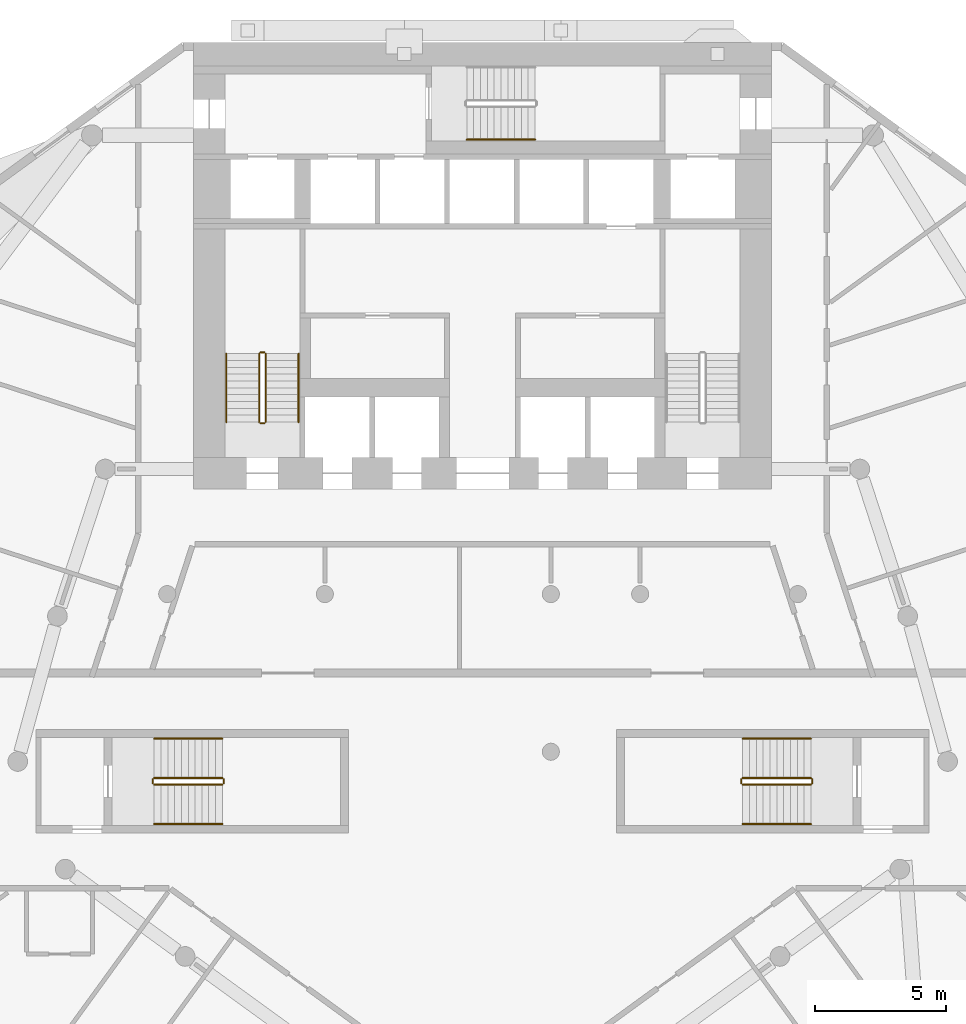
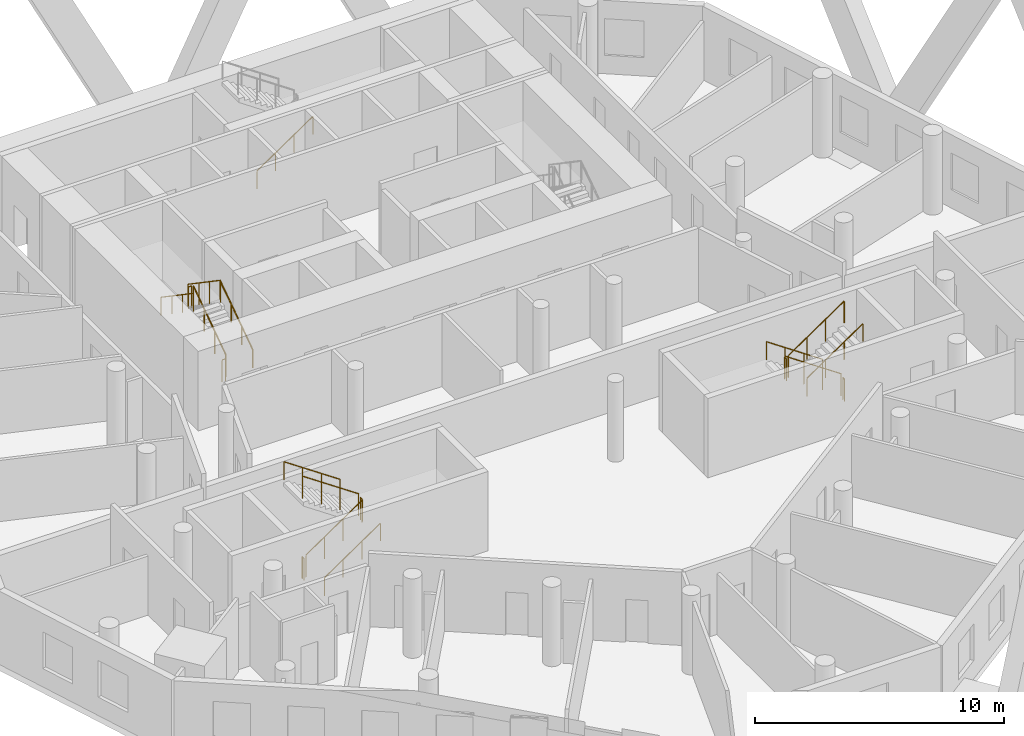
# One storey, part 9 of 10: 19 railings.
"""IFC4 building model written with IfcOpenShell, lengths in metres."""

import ifcopenshell
import ifcopenshell.guid

model = None  # the IFC model being written
_history = None  # IfcOwnerHistory: only IFC2X3 demands one
_inside = {}  # id of a spatial element -> (the spatial element, [elements in it])
_under = {}  # id of a project, library or spatial element -> (it, [spatial elements below it])
_declared = {}  # id of a project -> (the project, [libraries it declares])
_typed = {}  # id of a type object -> (the type object, [elements of that type])
_made_of = {}  # id of a material, layer set ... -> (it, [elements and type objects made of it])


def new_model(schema):
    """Start an empty IFC model of exactly this schema.

    Asked for "IFC4X3", IfcOpenShell would pick the latest addendum, in which some entities
    have other attributes; the version numbers below select the first issue.
    IFC2X3 requires an IfcOwnerHistory on every rooted entity: one is made here for all.
    """
    global model, _history
    if schema == "IFC4X3":
        model = ifcopenshell.file(schema_version=(4, 3, 0, 0))
    else:
        model = ifcopenshell.file(schema=schema)
    _inside.clear()
    _under.clear()
    _declared.clear()
    _typed.clear()
    _made_of.clear()
    _history = None
    if model.schema == "IFC2X3":
        org = make("IfcOrganization", Name="unknown")
        user = make(
            "IfcPersonAndOrganization",
            ThePerson=make("IfcPerson", FamilyName="unknown"),
            TheOrganization=org,
        )
        app = make(
            "IfcApplication",
            ApplicationDeveloper=org,
            Version="unknown",
            ApplicationFullName="unknown",
            ApplicationIdentifier="unknown",
        )
        _history = make(
            "IfcOwnerHistory",
            OwningUser=user,
            OwningApplication=app,
            ChangeAction="ADDED",
            CreationDate=0,
        )
    return model


def make(cls, **values):
    """One entity of the class cls with the attributes given. An attribute that is None is left unset."""
    return model.create_entity(
        cls, **{name: value for name, value in values.items() if value is not None}
    )


def rooted(cls, **values):
    """An entity with a GlobalId (a new one), such as an element, a storey or a relation."""
    return make(cls, GlobalId=ifcopenshell.guid.new(), OwnerHistory=_history, **values)


def si_unit(unit_type, name, prefix=None):
    """IfcSIUnit, for example si_unit("LENGTHUNIT", "METRE", prefix="MILLI")."""
    return make("IfcSIUnit", UnitType=unit_type, Prefix=prefix, Name=name)


def assignment(units):
    """IfcUnitAssignment: the units of a project."""
    return None if units is None else make("IfcUnitAssignment", Units=units)


def point(xyz):
    """IfcCartesianPoint."""
    return None if xyz is None else make("IfcCartesianPoint", Coordinates=xyz)


def direction(xyz):
    """IfcDirection."""
    return None if xyz is None else make("IfcDirection", DirectionRatios=xyz)


def frame(location, z_axis=None, x_axis=None):
    """IfcAxis2Placement3D, a coordinate frame: its origin and axes. An axis left out is left unset."""
    return make(
        "IfcAxis2Placement3D",
        Location=point(location),
        Axis=direction(z_axis),
        RefDirection=direction(x_axis),
    )


def frame_2d(location, x_axis=None):
    """IfcAxis2Placement2D, a coordinate frame in the plane: its origin and x axis."""
    return make(
        "IfcAxis2Placement2D", Location=point(location), RefDirection=direction(x_axis)
    )


def origin():
    """The frame at (0, 0, 0) with its axes left unset."""
    return frame((0.0, 0.0, 0.0))


def origin_2d():
    """The frame at (0, 0) in the plane with its x axis left unset."""
    return frame_2d((0.0, 0.0))


def place(relative_to, where):
    """IfcLocalPlacement: puts the frame where relative to a parent placement (None: the world)."""
    return make(
        "IfcLocalPlacement", PlacementRelTo=relative_to, RelativePlacement=where
    )


def context(
    kind, dimensions, precision=None, world=None, true_north=None, identifier=None
):
    """IfcGeometricRepresentationContext, for example the 3D "Model" context."""
    return make(
        "IfcGeometricRepresentationContext",
        ContextIdentifier=identifier,
        ContextType=kind,
        CoordinateSpaceDimension=dimensions,
        Precision=precision,
        WorldCoordinateSystem=world,
        TrueNorth=true_north,
    )


def subcontext(parent, identifier, kind, view, scale=None):
    """IfcGeometricRepresentationSubContext, for example "Body" below "Model"."""
    return make(
        "IfcGeometricRepresentationSubContext",
        ContextIdentifier=identifier,
        ContextType=kind,
        ParentContext=parent,
        TargetScale=scale,
        TargetView=view,
    )


def project(units=None, contexts=None):
    """IfcProject with its units and contexts."""
    return rooted(
        "IfcProject",
        Name="project",
        RepresentationContexts=contexts,
        UnitsInContext=assignment(units),
    )


def spatial(cls, under=None, at=None, **own):
    """A site, building, storey or space (cls), placed at a placement, below another one or the project."""
    s = rooted(cls, ObjectPlacement=at, **own)
    if under is not None:
        _under.setdefault(under.id(), (under, []))[1].append(s)
    return s


def profile(cls, at=None, kind="AREA", **sizes):
    """A parametric profile (cls). Its sizes go by their IFC names, for example OverallWidth=200.0."""
    return make(cls, ProfileType=kind, Position=at, **sizes)


def circle(**sizes):
    """IfcCircleProfileDef."""
    return profile("IfcCircleProfileDef", **sizes)


def extrude(swept, where, along, depth):
    """IfcExtrudedAreaSolid: the profile swept, set in the frame where, extruded along a direction by depth."""
    return make(
        "IfcExtrudedAreaSolid",
        SweptArea=swept,
        Position=where,
        ExtrudedDirection=direction(along),
        Depth=depth,
    )


def shape(context_of_items, identifier, shape_type, items):
    """IfcShapeRepresentation: the items that make up one representation, for example the "Body"."""
    return make(
        "IfcShapeRepresentation",
        ContextOfItems=context_of_items,
        RepresentationIdentifier=identifier,
        RepresentationType=shape_type,
        Items=items,
    )


def material(Name=None, Category=None):
    """IfcMaterial."""
    return make("IfcMaterial", Name=Name, Category=Category)


def made_of(thing, what):
    """Note that an element or type object is made of a material, layer set ...; save() writes the relation."""
    if what is not None:
        _made_of.setdefault(what.id(), (what, []))[1].append(thing)
    return thing


def type_object(cls, material=None, **own):
    """A type object (cls), such as IfcWallType, which elements share."""
    return made_of(rooted(cls, **own), material)


def element(
    cls,
    number,
    at=None,
    inside=None,
    cuts=None,
    type_object=None,
    material=None,
    context=None,
    identifier="Body",
    shape_type=None,
    held_by="IfcProductDefinitionShape",
    body=None,
    shapes=None,
    **own,
):
    """One element of the class cls, such as IfcWall. Its Tag is "e" and its number.

    at: its placement. inside: the storey or other place that contains it. cuts: it is an
    opening in that element (IfcRelVoidsElement). A single representation is given by context,
    identifier, shape_type and body (its items); several are given by shapes. held_by: the class
    of the entity that holds the representations. save() writes the other relations.
    """
    e = rooted(cls, Tag="e%d" % number, ObjectPlacement=at, **own)
    if body is not None:
        shapes = [shape(context, identifier, shape_type, body)]
    if shapes is not None:
        e.Representation = make(held_by, Representations=shapes)
    if inside is not None:
        _inside.setdefault(inside.id(), (inside, []))[1].append(e)
    if cuts is not None:
        rooted(
            "IfcRelVoidsElement", RelatingBuildingElement=cuts, RelatedOpeningElement=e
        )
    if type_object is not None:
        _typed.setdefault(type_object.id(), (type_object, []))[1].append(e)
    return made_of(e, material)


def aggregate(whole, parts):
    """IfcRelAggregates: a whole, such as a stair, and the parts it consists of."""
    return rooted("IfcRelAggregates", RelatingObject=whole, RelatedObjects=parts)


def save(model, path):
    """Write the relations noted so far, then the file.

    IfcRelAggregates (storeys below a building ...), IfcRelContainedInSpatialStructure (elements
    in a storey), IfcRelDefinesByType, IfcRelAssociatesMaterial and IfcRelDeclares: one each for
    every whole, place, type object, material and project.
    """
    for whole, parts in _under.values():
        aggregate(whole, parts)
    for where, things in _inside.values():
        rooted(
            "IfcRelContainedInSpatialStructure",
            RelatedElements=things,
            RelatingStructure=where,
        )
    for kind, things in _typed.values():
        rooted("IfcRelDefinesByType", RelatedObjects=things, RelatingType=kind)
    for what, things in _made_of.values():
        rooted("IfcRelAssociatesMaterial", RelatedObjects=things, RelatingMaterial=what)
    for by, libraries in _declared.values():
        rooted("IfcRelDeclares", RelatingContext=by, RelatedDefinitions=libraries)
    model.write(path)


model = new_model("IFC4")

# Units and contexts
model_context = context("Model", 3, precision=1e-05, world=origin(), true_north=direction((0.0, 1.0)))
body_context = subcontext(model_context, "Body", "Model", "MODEL_VIEW")
ifc_project = project(units=[si_unit("LENGTHUNIT", "METRE"), si_unit("AREAUNIT", "SQUARE_METRE"), si_unit("VOLUMEUNIT", "CUBIC_METRE"), si_unit("PLANEANGLEUNIT", "RADIAN"), si_unit("MASSUNIT", "GRAM", prefix="KILO")], contexts=[model_context])

# Site, building, storey
site_placement = place(None, origin())
site = spatial("IfcSite", under=ifc_project, at=site_placement, CompositionType="ELEMENT")
building_placement = place(site_placement, origin())
building = spatial("IfcBuilding", under=site, at=building_placement, Name="White Candle Pilgrim Tower", CompositionType="ELEMENT")
storey_placement = place(building_placement, frame((0.0, 0.0, 66.300048828125)))
storey = spatial("IfcBuildingStorey", under=building, at=storey_placement, Name="L13", CompositionType="ELEMENT", Elevation=66.300048828125)

# Railings
ifc_material = material(Name="Stainless steel", Category="steel")
railing_type_1 = type_object("IfcRailingType", Name="Stair guard stainless steel 1100 mm", PredefinedType="GUARDRAIL", material=ifc_material)
railing_1_placement = place(storey_placement, frame((61.75, 73.550048828125, 0.17724609375)))
element("IfcRailing", 1, at=railing_1_placement, inside=storey, type_object=railing_type_1, Name="L13 ST1 stair guard 1", PredefinedType="GUARDRAIL", context=body_context, shape_type="SweptSolid", body=[
    extrude(circle(Radius=0.02392578125, at=origin_2d()), frame((0.0, 0.0, 1.076171875), z_axis=(0.0, 0.826215852431, 0.563353676824), x_axis=(-1.0, 0.0, 0.0)), (0.0, 0.0, 1.0), 3.146728515625),
    extrude(circle(Radius=0.02099609375, at=origin_2d()), origin(), (0.0, 0.0, 1.0), 1.052001953125),
    extrude(circle(Radius=0.02099609375, at=origin_2d()), frame((0.0, 0.86669921875, 0.5908203125)), (0.0, 0.0, 1.0), 1.052001953125),
    extrude(circle(Radius=0.02099609375, at=origin_2d()), frame((0.0, 1.733154296875, 1.181884765625)), (0.0, 0.0, 1.0), 1.052001953125),
    extrude(circle(Radius=0.02099609375, at=origin_2d()), frame((0.0, 2.599853515625, 1.772705078125)), (0.0, 0.0, 1.0), 1.052001953125),
])
railing_2_placement = place(storey_placement, frame((61.699951171875, 76.199951171875, 1.949951171875)))
element("IfcRailing", 2, at=railing_2_placement, inside=storey, type_object=railing_type_1, Name="L13 ST1 stair guard 2", PredefinedType="GUARDRAIL", context=body_context, shape_type="SweptSolid", body=[
    extrude(circle(Radius=0.02392578125, at=origin_2d()), frame((0.0, 0.0, 1.076171875), z_axis=(-1.0, 0.0, 0.0), x_axis=(0.0, -1.0, 0.0)), (0.0, 0.0, 1.0), 0.14990234375),
    extrude(circle(Radius=0.02099609375, at=origin_2d()), origin(), (0.0, 0.0, 1.0), 1.052001953125),
    extrude(circle(Radius=0.02099609375, at=origin_2d()), frame((-0.14990234375, 0.0, 0.0)), (0.0, 0.0, 1.0), 1.052001953125),
])
railing_3_placement = place(storey_placement, frame((61.5, 76.14990234375, 2.127197265625)))
element("IfcRailing", 3, at=railing_3_placement, inside=storey, type_object=railing_type_1, Name="L13 ST1 stair guard 3", PredefinedType="GUARDRAIL", context=body_context, shape_type="SweptSolid", body=[
    extrude(circle(Radius=0.02392578125, at=origin_2d()), frame((0.0, 0.0, 1.076171875), z_axis=(0.0, -0.826215852431, 0.563353676824), x_axis=(1.0, 0.0, 0.0)), (0.0, 0.0, 1.0), 3.146728515625),
    extrude(circle(Radius=0.02099609375, at=origin_2d()), origin(), (0.0, 0.0, 1.0), 1.052001953125),
    extrude(circle(Radius=0.02099609375, at=origin_2d()), frame((0.0, -0.86669921875, 0.5908203125)), (0.0, 0.0, 1.0), 1.052001953125),
    extrude(circle(Radius=0.02099609375, at=origin_2d()), frame((0.0, -1.733154296875, 1.181884765625)), (0.0, 0.0, 1.0), 1.052001953125),
    extrude(circle(Radius=0.02099609375, at=origin_2d()), frame((0.0, -2.599853515625, 1.772705078125)), (0.0, 0.0, 1.0), 1.052001953125),
])
railing_4_placement = place(storey_placement, frame((61.699951171875, 73.5, 0.0)))
element("IfcRailing", 4, at=railing_4_placement, inside=storey, type_object=railing_type_1, Name="L13 ST1 stair guard 4", PredefinedType="GUARDRAIL", context=body_context, shape_type="SweptSolid", body=[
    extrude(circle(Radius=0.02392578125, at=origin_2d()), frame((0.0, 0.0, 1.076171875), z_axis=(-1.0, 0.0, 0.0), x_axis=(0.0, -1.0, 0.0)), (0.0, 0.0, 1.0), 0.14990234375),
    extrude(circle(Radius=0.02099609375, at=origin_2d()), origin(), (0.0, 0.0, 1.0), 1.052001953125),
    extrude(circle(Radius=0.02099609375, at=origin_2d()), frame((-0.14990234375, 0.0, 0.0)), (0.0, 0.0, 1.0), 1.052001953125),
])
railing_5_placement = place(storey_placement, frame((82.5, 60.0, 0.17724609375)))
element("IfcRailing", 5, at=railing_5_placement, inside=storey, type_object=railing_type_1, Name="L13 ST4 stair guard 1", PredefinedType="GUARDRAIL", context=body_context, shape_type="SweptSolid", body=[
    extrude(circle(Radius=0.02392578125, at=origin_2d()), frame((0.0, 0.0, 1.076171875), z_axis=(-0.826240473404, 0.0, 0.563317565952), x_axis=(0.0, -1.0, 0.0)), (0.0, 0.0, 1.0), 3.14697265625),
    extrude(circle(Radius=0.02099609375, at=origin_2d()), origin(), (0.0, 0.0, 1.0), 1.052001953125),
    extrude(circle(Radius=0.02099609375, at=origin_2d()), frame((-0.86669921875, 0.0, 0.5908203125)), (0.0, 0.0, 1.0), 1.052001953125),
    extrude(circle(Radius=0.02099609375, at=origin_2d()), frame((-1.7333984375, 0.0, 1.181884765625)), (0.0, 0.0, 1.0), 1.052001953125),
    extrude(circle(Radius=0.02099609375, at=origin_2d()), frame((-2.60009765625, 0.0, 1.772705078125)), (0.0, 0.0, 1.0), 1.052001953125),
])
railing_6_placement = place(storey_placement, frame((79.85009765625, 59.949951171875, 1.949951171875)))
element("IfcRailing", 6, at=railing_6_placement, inside=storey, type_object=railing_type_1, Name="L13 ST4 stair guard 2", PredefinedType="GUARDRAIL", context=body_context, shape_type="SweptSolid", body=[
    extrude(circle(Radius=0.02392578125, at=origin_2d()), frame((0.0, 0.0, 1.076171875), z_axis=(0.0, -1.0, 0.0), x_axis=(1.0, 0.0, 0.0)), (0.0, 0.0, 1.0), 0.14990234375),
    extrude(circle(Radius=0.02099609375, at=origin_2d()), origin(), (0.0, 0.0, 1.0), 1.052001953125),
    extrude(circle(Radius=0.02099609375, at=origin_2d()), frame((0.0, -0.14990234375, 0.0)), (0.0, 0.0, 1.0), 1.052001953125),
])
railing_7_placement = place(storey_placement, frame((79.89990234375, 59.75, 2.127197265625)))
element("IfcRailing", 7, at=railing_7_placement, inside=storey, type_object=railing_type_1, Name="L13 ST4 stair guard 3", PredefinedType="GUARDRAIL", context=body_context, shape_type="SweptSolid", body=[
    extrude(circle(Radius=0.02392578125, at=origin_2d()), frame((0.0, 0.0, 1.076171875), z_axis=(0.826240473404, 0.0, 0.563317565952), x_axis=(0.0, 1.0, 0.0)), (0.0, 0.0, 1.0), 3.14697265625),
    extrude(circle(Radius=0.02099609375, at=origin_2d()), origin(), (0.0, 0.0, 1.0), 1.052001953125),
    extrude(circle(Radius=0.02099609375, at=origin_2d()), frame((0.86669921875, 0.0, 0.5908203125)), (0.0, 0.0, 1.0), 1.052001953125),
    extrude(circle(Radius=0.02099609375, at=origin_2d()), frame((1.7333984375, 0.0, 1.181884765625)), (0.0, 0.0, 1.0), 1.052001953125),
    extrude(circle(Radius=0.02099609375, at=origin_2d()), frame((2.60009765625, 0.0, 1.772705078125)), (0.0, 0.0, 1.0), 1.052001953125),
])
railing_8_placement = place(storey_placement, frame((82.550048828125, 59.949951171875, 0.0)))
element("IfcRailing", 8, at=railing_8_placement, inside=storey, type_object=railing_type_1, Name="L13 ST4 stair guard 4", PredefinedType="GUARDRAIL", context=body_context, shape_type="SweptSolid", body=[
    extrude(circle(Radius=0.02392578125, at=origin_2d()), frame((0.0, 0.0, 1.076171875), z_axis=(0.0, -1.0, 0.0), x_axis=(1.0, 0.0, 0.0)), (0.0, 0.0, 1.0), 0.14990234375),
    extrude(circle(Radius=0.02099609375, at=origin_2d()), origin(), (0.0, 0.0, 1.0), 1.052001953125),
    extrude(circle(Radius=0.02099609375, at=origin_2d()), frame((0.0, -0.14990234375, 0.0)), (0.0, 0.0, 1.0), 1.052001953125),
])
railing_9_placement = place(storey_placement, frame((57.5, 59.75, 0.17724609375)))
element("IfcRailing", 9, at=railing_9_placement, inside=storey, type_object=railing_type_1, Name="L13 ST5 stair guard 1", PredefinedType="GUARDRAIL", context=body_context, shape_type="SweptSolid", body=[
    extrude(circle(Radius=0.02392578125, at=origin_2d()), frame((0.0, 0.0, 1.076171875), z_axis=(0.826240473404, 0.0, 0.563317565952), x_axis=(0.0, 1.0, 0.0)), (0.0, 0.0, 1.0), 3.14697265625),
    extrude(circle(Radius=0.02099609375, at=origin_2d()), origin(), (0.0, 0.0, 1.0), 1.052001953125),
    extrude(circle(Radius=0.02099609375, at=origin_2d()), frame((0.86669921875, 0.0, 0.5908203125)), (0.0, 0.0, 1.0), 1.052001953125),
    extrude(circle(Radius=0.02099609375, at=origin_2d()), frame((1.7333984375, 0.0, 1.181884765625)), (0.0, 0.0, 1.0), 1.052001953125),
    extrude(circle(Radius=0.02099609375, at=origin_2d()), frame((2.60009765625, 0.0, 1.772705078125)), (0.0, 0.0, 1.0), 1.052001953125),
])
railing_10_placement = place(storey_placement, frame((60.14990234375, 59.800048828125, 1.949951171875)))
element("IfcRailing", 10, at=railing_10_placement, inside=storey, type_object=railing_type_1, Name="L13 ST5 stair guard 2", PredefinedType="GUARDRAIL", context=body_context, shape_type="SweptSolid", body=[
    extrude(circle(Radius=0.02392578125, at=origin_2d()), frame((0.0, 0.0, 1.076171875), z_axis=(0.0, 1.0, 0.0), x_axis=(-1.0, 0.0, 0.0)), (0.0, 0.0, 1.0), 0.14990234375),
    extrude(circle(Radius=0.02099609375, at=origin_2d()), origin(), (0.0, 0.0, 1.0), 1.052001953125),
    extrude(circle(Radius=0.02099609375, at=origin_2d()), frame((0.0, 0.14990234375, 0.0)), (0.0, 0.0, 1.0), 1.052001953125),
])
railing_11_placement = place(storey_placement, frame((60.10009765625, 60.0, 2.127197265625)))
element("IfcRailing", 11, at=railing_11_placement, inside=storey, type_object=railing_type_1, Name="L13 ST5 stair guard 3", PredefinedType="GUARDRAIL", context=body_context, shape_type="SweptSolid", body=[
    extrude(circle(Radius=0.02392578125, at=origin_2d()), frame((0.0, 0.0, 1.076171875), z_axis=(-0.826240473404, 0.0, 0.563317565952), x_axis=(0.0, -1.0, 0.0)), (0.0, 0.0, 1.0), 3.14697265625),
    extrude(circle(Radius=0.02099609375, at=origin_2d()), origin(), (0.0, 0.0, 1.0), 1.052001953125),
    extrude(circle(Radius=0.02099609375, at=origin_2d()), frame((-0.86669921875, 0.0, 0.5908203125)), (0.0, 0.0, 1.0), 1.052001953125),
    extrude(circle(Radius=0.02099609375, at=origin_2d()), frame((-1.7333984375, 0.0, 1.181884765625)), (0.0, 0.0, 1.0), 1.052001953125),
    extrude(circle(Radius=0.02099609375, at=origin_2d()), frame((-2.60009765625, 0.0, 1.772705078125)), (0.0, 0.0, 1.0), 1.052001953125),
])
railing_12_placement = place(storey_placement, frame((57.449951171875, 59.800048828125, 0.0)))
element("IfcRailing", 12, at=railing_12_placement, inside=storey, type_object=railing_type_1, Name="L13 ST5 stair guard 4", PredefinedType="GUARDRAIL", context=body_context, shape_type="SweptSolid", body=[
    extrude(circle(Radius=0.02392578125, at=origin_2d()), frame((0.0, 0.0, 1.076171875), z_axis=(0.0, 1.0, 0.0), x_axis=(-1.0, 0.0, 0.0)), (0.0, 0.0, 1.0), 0.14990234375),
    extrude(circle(Radius=0.02099609375, at=origin_2d()), origin(), (0.0, 0.0, 1.0), 1.052001953125),
    extrude(circle(Radius=0.02099609375, at=origin_2d()), frame((0.0, 0.14990234375, 0.0)), (0.0, 0.0, 1.0), 1.052001953125),
])
railing_type_2 = type_object("IfcRailingType", Name="Stair handrail stainless steel", PredefinedType="HANDRAIL", material=ifc_material)
railing_13_placement = place(storey_placement, frame((63.0, 73.550048828125, 0.17724609375)))
element("IfcRailing", 13, at=railing_13_placement, inside=storey, type_object=railing_type_2, Name="L13 ST1 stair handrail 1", PredefinedType="HANDRAIL", context=body_context, shape_type="SweptSolid", body=[
    extrude(circle(Radius=0.02392578125, at=origin_2d()), frame((0.0, 0.0, 0.8759765625), z_axis=(0.0, 0.826215852431, 0.563353676824), x_axis=(-1.0, 0.0, 0.0)), (0.0, 0.0, 1.0), 3.146728515625),
    extrude(circle(Radius=0.02099609375, at=origin_2d()), origin(), (0.0, 0.0, 1.0), 0.851806640625),
    extrude(circle(Radius=0.02099609375, at=origin_2d()), frame((0.0, 0.86669921875, 0.5908203125)), (0.0, 0.0, 1.0), 0.851806640625),
    extrude(circle(Radius=0.02099609375, at=origin_2d()), frame((0.0, 1.733154296875, 1.181884765625)), (0.0, 0.0, 1.0), 0.851806640625),
    extrude(circle(Radius=0.02099609375, at=origin_2d()), frame((0.0, 2.599853515625, 1.772705078125)), (0.0, 0.0, 1.0), 0.851806640625),
])
railing_14_placement = place(storey_placement, frame((60.25, 76.14990234375, 2.127197265625)))
element("IfcRailing", 14, at=railing_14_placement, inside=storey, type_object=railing_type_2, Name="L13 ST1 stair handrail 2", PredefinedType="HANDRAIL", context=body_context, shape_type="SweptSolid", body=[
    extrude(circle(Radius=0.02392578125, at=origin_2d()), frame((0.0, 0.0, 0.8759765625), z_axis=(0.0, -0.826215852431, 0.563353676824), x_axis=(1.0, 0.0, 0.0)), (0.0, 0.0, 1.0), 3.146728515625),
    extrude(circle(Radius=0.02099609375, at=origin_2d()), origin(), (0.0, 0.0, 1.0), 0.851806640625),
    extrude(circle(Radius=0.02099609375, at=origin_2d()), frame((0.0, -0.86669921875, 0.5908203125)), (0.0, 0.0, 1.0), 0.851806640625),
    extrude(circle(Radius=0.02099609375, at=origin_2d()), frame((0.0, -1.733154296875, 1.181884765625)), (0.0, 0.0, 1.0), 0.851806640625),
    extrude(circle(Radius=0.02099609375, at=origin_2d()), frame((0.0, -2.599853515625, 1.772705078125)), (0.0, 0.0, 1.0), 0.851806640625),
])
railing_15_placement = place(storey_placement, frame((69.39990234375, 84.300048828125, 0.17724609375)))
element("IfcRailing", 15, at=railing_15_placement, inside=storey, type_object=railing_type_2, Name="L13 ST3 stair handrail 1", PredefinedType="HANDRAIL", context=body_context, shape_type="SweptSolid", body=[
    extrude(circle(Radius=0.02392578125, at=origin_2d()), frame((0.0, 0.0, 0.8759765625), z_axis=(0.826240473404, 0.0, 0.563317565952), x_axis=(0.0, 1.0, 0.0)), (0.0, 0.0, 1.0), 3.14697265625),
    extrude(circle(Radius=0.02099609375, at=origin_2d()), origin(), (0.0, 0.0, 1.0), 0.851806640625),
    extrude(circle(Radius=0.02099609375, at=origin_2d()), frame((0.86669921875, 0.0, 0.5908203125)), (0.0, 0.0, 1.0), 0.851806640625),
    extrude(circle(Radius=0.02099609375, at=origin_2d()), frame((1.7333984375, 0.0, 1.181884765625)), (0.0, 0.0, 1.0), 0.851806640625),
    extrude(circle(Radius=0.02099609375, at=origin_2d()), frame((2.60009765625, 0.0, 1.772705078125)), (0.0, 0.0, 1.0), 0.851806640625),
])
railing_16_placement = place(storey_placement, frame((82.5, 61.5, 0.17724609375)))
element("IfcRailing", 16, at=railing_16_placement, inside=storey, type_object=railing_type_2, Name="L13 ST4 stair handrail 1", PredefinedType="HANDRAIL", context=body_context, shape_type="SweptSolid", body=[
    extrude(circle(Radius=0.02392578125, at=origin_2d()), frame((0.0, 0.0, 0.8759765625), z_axis=(-0.826240473404, 0.0, 0.563317565952), x_axis=(0.0, -1.0, 0.0)), (0.0, 0.0, 1.0), 3.14697265625),
    extrude(circle(Radius=0.02099609375, at=origin_2d()), origin(), (0.0, 0.0, 1.0), 0.851806640625),
    extrude(circle(Radius=0.02099609375, at=origin_2d()), frame((-0.86669921875, 0.0, 0.5908203125)), (0.0, 0.0, 1.0), 0.851806640625),
    extrude(circle(Radius=0.02099609375, at=origin_2d()), frame((-1.7333984375, 0.0, 1.181884765625)), (0.0, 0.0, 1.0), 0.851806640625),
    extrude(circle(Radius=0.02099609375, at=origin_2d()), frame((-2.60009765625, 0.0, 1.772705078125)), (0.0, 0.0, 1.0), 0.851806640625),
])
for number, where, name in (
    (17, (79.89990234375, 58.25, 2.127197265625), "L13 ST4 stair handrail 2"),
    (18, (57.5, 58.25, 0.17724609375), "L13 ST5 stair handrail 1"),
):
    element("IfcRailing", number, at=place(storey_placement, frame(where)), inside=storey, type_object=railing_type_2, Name=name, PredefinedType="HANDRAIL", context=body_context, shape_type="SweptSolid", body=[
        extrude(circle(Radius=0.02392578125, at=origin_2d()), frame((0.0, 0.0, 0.8759765625), z_axis=(0.826240473404, 0.0, 0.563317565952), x_axis=(0.0, 1.0, 0.0)), (0.0, 0.0, 1.0), 3.14697265625),
        extrude(circle(Radius=0.02099609375, at=origin_2d()), origin(), (0.0, 0.0, 1.0), 0.851806640625),
        extrude(circle(Radius=0.02099609375, at=origin_2d()), frame((0.86669921875, 0.0, 0.5908203125)), (0.0, 0.0, 1.0), 0.851806640625),
        extrude(circle(Radius=0.02099609375, at=origin_2d()), frame((1.7333984375, 0.0, 1.181884765625)), (0.0, 0.0, 1.0), 0.851806640625),
        extrude(circle(Radius=0.02099609375, at=origin_2d()), frame((2.60009765625, 0.0, 1.772705078125)), (0.0, 0.0, 1.0), 0.851806640625),
    ])
railing_17_placement = place(storey_placement, frame((60.10009765625, 61.5, 2.127197265625)))
element("IfcRailing", 19, at=railing_17_placement, inside=storey, type_object=railing_type_2, Name="L13 ST5 stair handrail 2", PredefinedType="HANDRAIL", context=body_context, shape_type="SweptSolid", body=[
    extrude(circle(Radius=0.02392578125, at=origin_2d()), frame((0.0, 0.0, 0.8759765625), z_axis=(-0.826240473404, 0.0, 0.563317565952), x_axis=(0.0, -1.0, 0.0)), (0.0, 0.0, 1.0), 3.14697265625),
    extrude(circle(Radius=0.02099609375, at=origin_2d()), origin(), (0.0, 0.0, 1.0), 0.851806640625),
    extrude(circle(Radius=0.02099609375, at=origin_2d()), frame((-0.86669921875, 0.0, 0.5908203125)), (0.0, 0.0, 1.0), 0.851806640625),
    extrude(circle(Radius=0.02099609375, at=origin_2d()), frame((-1.7333984375, 0.0, 1.181884765625)), (0.0, 0.0, 1.0), 0.851806640625),
    extrude(circle(Radius=0.02099609375, at=origin_2d()), frame((-2.60009765625, 0.0, 1.772705078125)), (0.0, 0.0, 1.0), 0.851806640625),
])

save(model, "model.ifc")
